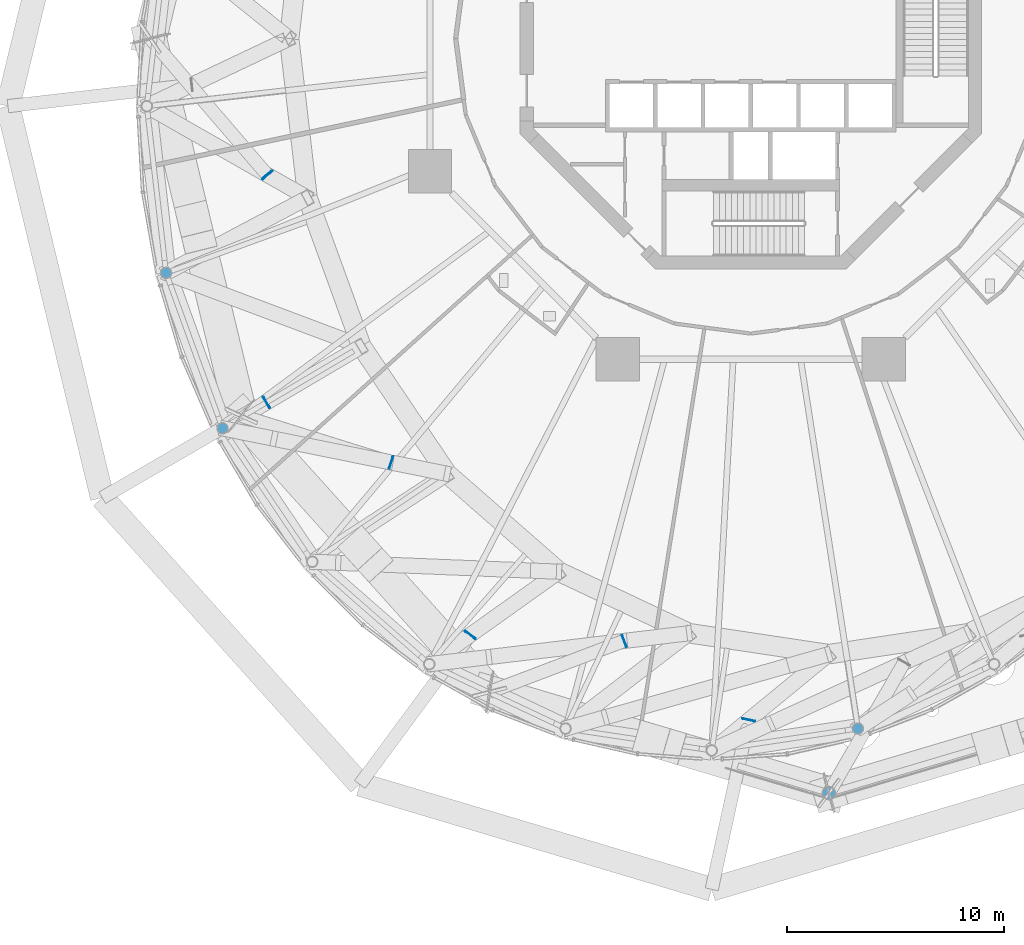
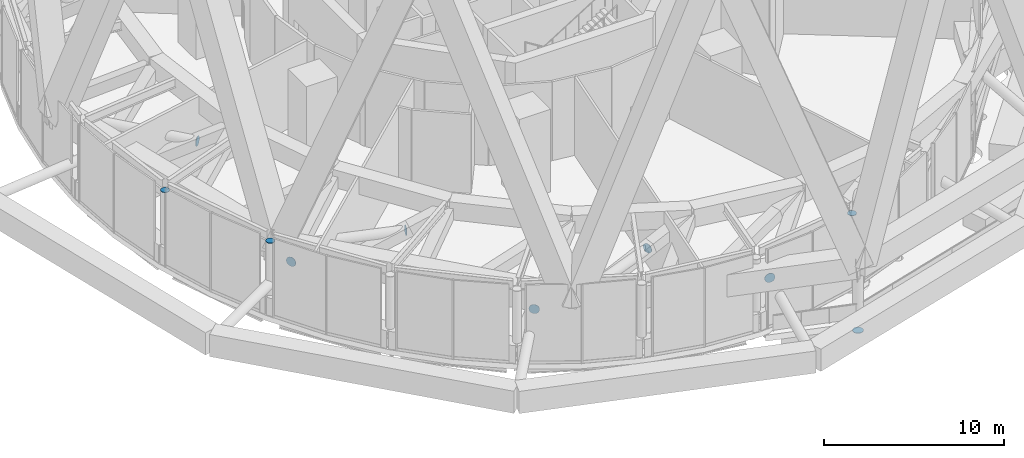
# One storey, part 42 of 49: 10 discrete accessories.
"""IFC4 building model written with IfcOpenShell, lengths in metres."""

from ifc_helpers import new_model, si_unit, direction, frame, origin, origin_2d, place, context, subcontext, project, spatial, circle, extrude, material, layer, layer_set, type_object, element, save


model = new_model("IFC4")

# Units and contexts
model_context = context("Model", 3, precision=1e-05, world=origin(), true_north=direction((0.0, 1.0)))
body_context = subcontext(model_context, "Body", "Model", "MODEL_VIEW")
ifc_project = project(units=[si_unit("LENGTHUNIT", "METRE"), si_unit("AREAUNIT", "SQUARE_METRE"), si_unit("VOLUMEUNIT", "CUBIC_METRE"), si_unit("PLANEANGLEUNIT", "RADIAN"), si_unit("MASSUNIT", "GRAM", prefix="KILO")], contexts=[model_context])

# Site, building, storey
site_placement = place(None, origin())
site = spatial("IfcSite", under=ifc_project, at=site_placement, CompositionType="ELEMENT")
building_placement = place(site_placement, origin())
building = spatial("IfcBuilding", under=site, at=building_placement, Name="Nagisa Residences", CompositionType="ELEMENT")
storey_placement = place(building_placement, frame((0.0, 0.0, 160.300048828125)))
storey = spatial("IfcBuildingStorey", under=building, at=storey_placement, Name="L40", CompositionType="ELEMENT", Elevation=160.300048828125)

# Discrete accessories
ifc_material_1 = material(Name="Steel ASTM A572 Gr 50", Category="steel")
ifc_layer_1 = layer(ifc_material_1, 0.030029296875)
ifc_layer_set_1 = layer_set([ifc_layer_1], Name="End plate")
discrete_accessory_type_1 = type_object("IfcDiscreteAccessoryType", Name="End plate", PredefinedType="ANCHORPLATE", material=ifc_layer_set_1)
discrete_accessory_1_placement = place(storey_placement, frame((3.60009765625, -34.77490234375, -0.89013671875), z_axis=(0.0, 0.0, -1.0), x_axis=(1.0, 0.0, 0.0)))
element("IfcDiscreteAccessory", 1, at=discrete_accessory_1_placement, inside=storey, type_object=discrete_accessory_type_1, Name="End plate DH307", PredefinedType="ANCHORPLATE", context=body_context, shape_type="SweptSolid", body=[
    extrude(circle(Radius=0.304931640625, at=origin_2d()), origin(), (0.0, 0.0, 1.0), 0.030029296875),
])
for number, where, z_axis, x_axis, name in (
    (2, (-26.947998046875, -10.80322265625, 4.737060546875), (0.0, 0.0, 1.0), (1.0, 0.0, 0.0), "End plate GP314"),
    (3, (-24.346923828125, -17.965087890625, 4.737060546875), (0.0, 0.0, 1.0), (1.0, 0.0, 0.0), "End plate GP315"),
    (4, (4.938232421875, -31.80078125, 4.737060546875), (0.0, 0.0, 1.0), (1.0, 0.0, 0.0), "End plate GP320"),
):
    element("IfcDiscreteAccessory", number, at=place(storey_placement, frame(where, z_axis=z_axis, x_axis=x_axis)), inside=storey, type_object=discrete_accessory_type_1, Name=name, PredefinedType="ANCHORPLATE", context=body_context, shape_type="SweptSolid", body=[
        extrude(circle(Radius=0.25390625, at=origin_2d()), origin(), (0.0, 0.0, 1.0), 0.02978515625),
    ])
ifc_material_2 = material(Name="Steel ASTM A572 Gr 50", Category="steel")
ifc_layer_2 = layer(ifc_material_2, 0.030029296875)
ifc_layer_set_2 = layer_set([ifc_layer_2], Name="Node plate")
discrete_accessory_type_2 = type_object("IfcDiscreteAccessoryType", Name="Node plate", PredefinedType="ANCHORPLATE", material=ifc_layer_set_2)
discrete_accessory_2_placement = place(storey_placement, frame((-22.3359375, -16.779052734375, 1.89990234375), z_axis=(0.865241683045, 0.501354993914, 0.0), x_axis=(-0.501354993914, 0.865241683045, 0.0)))
element("IfcDiscreteAccessory", 5, at=discrete_accessory_2_placement, inside=storey, type_object=discrete_accessory_type_2, Name="Node plate ST3A08", PredefinedType="ANCHORPLATE", context=body_context, shape_type="SweptSolid", body=[
    extrude(circle(Radius=0.304931640625, at=origin_2d()), origin(), (0.0, 0.0, 1.0), 0.0302734375),
])
for number, where, z_axis, x_axis, name in (
    (6, (-12.939697265625, -27.496337890625, 1.89990234375), (0.593476321419, 0.804851449595, 0.0), (-0.804851449595, 0.593476321419, 0.0), "Node plate ST3A09"),
    (7, (-0.104248046875, -31.419189453125, 1.89990234375), (0.211753347006, 0.977323140027, 0.0), (-0.977323140027, 0.211753347006, 0.0), "Node plate ST3A10"),
    (8, (-22.288330078125, -6.2822265625, 3.699951171875), (0.648118629528, -0.761539389696, 0.0), (0.761539389696, 0.648118629528, 0.0), "Node plate ST4B07"),
):
    element("IfcDiscreteAccessory", number, at=place(storey_placement, frame(where, z_axis=z_axis, x_axis=x_axis)), inside=storey, type_object=discrete_accessory_type_2, Name=name, PredefinedType="ANCHORPLATE", context=body_context, shape_type="SweptSolid", body=[
        extrude(circle(Radius=0.304931640625, at=origin_2d()), origin(), (0.0, 0.0, 1.0), 0.030029296875),
    ])
discrete_accessory_3_placement = place(storey_placement, frame((-16.59130859375, -19.536865234375, 3.699951171875), z_axis=(0.95419176261, -0.299195722174, 0.0), x_axis=(0.299195722174, 0.95419176261, 0.0)))
element("IfcDiscreteAccessory", 9, at=discrete_accessory_3_placement, inside=storey, type_object=discrete_accessory_type_2, Name="Node plate ST4B08", PredefinedType="ANCHORPLATE", context=body_context, shape_type="SweptSolid", body=[
    extrude(circle(Radius=0.304931640625, at=origin_2d()), origin(), (0.0, 0.0, 1.0), 0.0302734375),
])
discrete_accessory_4_placement = place(storey_placement, frame((-5.847412109375, -27.766357421875, 3.699951171875), z_axis=(0.936663474029, 0.350230690289, 0.0), x_axis=(-0.350230690289, 0.936663474029, 0.0)))
element("IfcDiscreteAccessory", 10, at=discrete_accessory_4_placement, inside=storey, type_object=discrete_accessory_type_2, Name="Node plate ST4B09", PredefinedType="ANCHORPLATE", context=body_context, shape_type="SweptSolid", body=[
    extrude(circle(Radius=0.304931640625, at=origin_2d()), origin(), (0.0, 0.0, 1.0), 0.030029296875),
])

save(model, "model.ifc")
